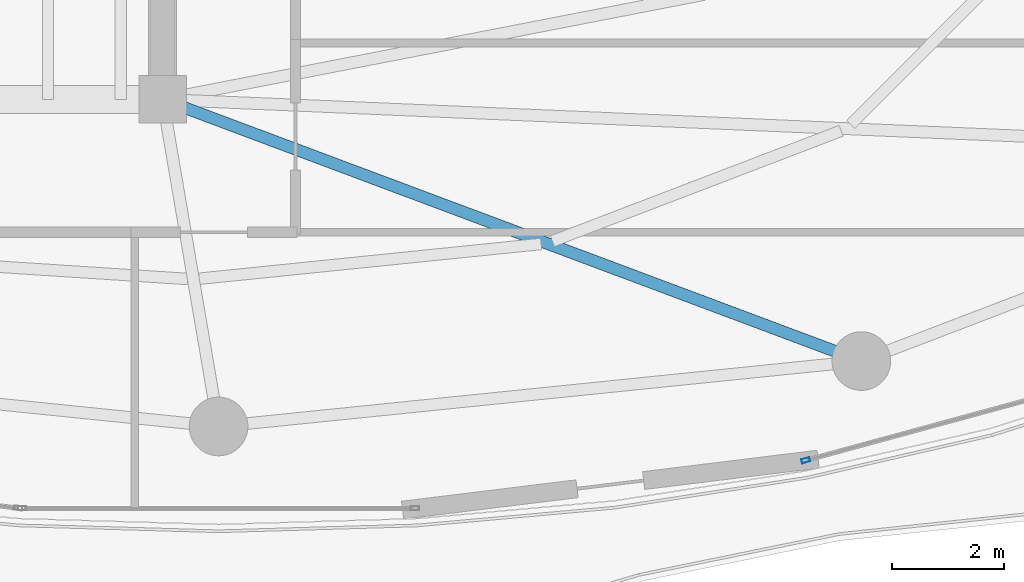
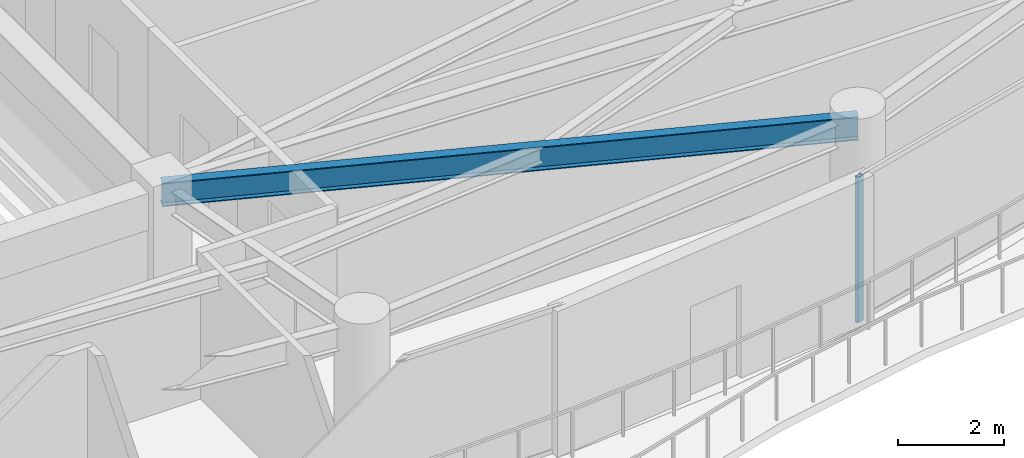
# One storey, part 11 of 31: 1 beam, 1 member, 1 element without a shape of its own.
"""IFC4 building model written with IfcOpenShell, lengths in metres."""

import ifcopenshell
import ifcopenshell.guid

model = None  # the IFC model being written
_history = None  # IfcOwnerHistory: only IFC2X3 demands one
_inside = {}  # id of a spatial element -> (the spatial element, [elements in it])
_under = {}  # id of a project, library or spatial element -> (it, [spatial elements below it])
_declared = {}  # id of a project -> (the project, [libraries it declares])
_typed = {}  # id of a type object -> (the type object, [elements of that type])
_made_of = {}  # id of a material, layer set ... -> (it, [elements and type objects made of it])


def new_model(schema):
    """Start an empty IFC model of exactly this schema.

    Asked for "IFC4X3", IfcOpenShell would pick the latest addendum, in which some entities
    have other attributes; the version numbers below select the first issue.
    IFC2X3 requires an IfcOwnerHistory on every rooted entity: one is made here for all.
    """
    global model, _history
    if schema == "IFC4X3":
        model = ifcopenshell.file(schema_version=(4, 3, 0, 0))
    else:
        model = ifcopenshell.file(schema=schema)
    _inside.clear()
    _under.clear()
    _declared.clear()
    _typed.clear()
    _made_of.clear()
    _history = None
    if model.schema == "IFC2X3":
        org = make("IfcOrganization", Name="unknown")
        user = make(
            "IfcPersonAndOrganization",
            ThePerson=make("IfcPerson", FamilyName="unknown"),
            TheOrganization=org,
        )
        app = make(
            "IfcApplication",
            ApplicationDeveloper=org,
            Version="unknown",
            ApplicationFullName="unknown",
            ApplicationIdentifier="unknown",
        )
        _history = make(
            "IfcOwnerHistory",
            OwningUser=user,
            OwningApplication=app,
            ChangeAction="ADDED",
            CreationDate=0,
        )
    return model


def make(cls, **values):
    """One entity of the class cls with the attributes given. An attribute that is None is left unset."""
    return model.create_entity(
        cls, **{name: value for name, value in values.items() if value is not None}
    )


def rooted(cls, **values):
    """An entity with a GlobalId (a new one), such as an element, a storey or a relation."""
    return make(cls, GlobalId=ifcopenshell.guid.new(), OwnerHistory=_history, **values)


def si_unit(unit_type, name, prefix=None):
    """IfcSIUnit, for example si_unit("LENGTHUNIT", "METRE", prefix="MILLI")."""
    return make("IfcSIUnit", UnitType=unit_type, Prefix=prefix, Name=name)


def assignment(units):
    """IfcUnitAssignment: the units of a project."""
    return None if units is None else make("IfcUnitAssignment", Units=units)


def point(xyz):
    """IfcCartesianPoint."""
    return None if xyz is None else make("IfcCartesianPoint", Coordinates=xyz)


def direction(xyz):
    """IfcDirection."""
    return None if xyz is None else make("IfcDirection", DirectionRatios=xyz)


def frame(location, z_axis=None, x_axis=None):
    """IfcAxis2Placement3D, a coordinate frame: its origin and axes. An axis left out is left unset."""
    return make(
        "IfcAxis2Placement3D",
        Location=point(location),
        Axis=direction(z_axis),
        RefDirection=direction(x_axis),
    )


def frame_2d(location, x_axis=None):
    """IfcAxis2Placement2D, a coordinate frame in the plane: its origin and x axis."""
    return make(
        "IfcAxis2Placement2D", Location=point(location), RefDirection=direction(x_axis)
    )


def origin():
    """The frame at (0, 0, 0) with its axes left unset."""
    return frame((0.0, 0.0, 0.0))


def origin_2d():
    """The frame at (0, 0) in the plane with its x axis left unset."""
    return frame_2d((0.0, 0.0))


def place(relative_to, where):
    """IfcLocalPlacement: puts the frame where relative to a parent placement (None: the world)."""
    return make(
        "IfcLocalPlacement", PlacementRelTo=relative_to, RelativePlacement=where
    )


def context(
    kind, dimensions, precision=None, world=None, true_north=None, identifier=None
):
    """IfcGeometricRepresentationContext, for example the 3D "Model" context."""
    return make(
        "IfcGeometricRepresentationContext",
        ContextIdentifier=identifier,
        ContextType=kind,
        CoordinateSpaceDimension=dimensions,
        Precision=precision,
        WorldCoordinateSystem=world,
        TrueNorth=true_north,
    )


def subcontext(parent, identifier, kind, view, scale=None):
    """IfcGeometricRepresentationSubContext, for example "Body" below "Model"."""
    return make(
        "IfcGeometricRepresentationSubContext",
        ContextIdentifier=identifier,
        ContextType=kind,
        ParentContext=parent,
        TargetScale=scale,
        TargetView=view,
    )


def project(units=None, contexts=None):
    """IfcProject with its units and contexts."""
    return rooted(
        "IfcProject",
        Name="project",
        RepresentationContexts=contexts,
        UnitsInContext=assignment(units),
    )


def spatial(cls, under=None, at=None, **own):
    """A site, building, storey or space (cls), placed at a placement, below another one or the project."""
    s = rooted(cls, ObjectPlacement=at, **own)
    if under is not None:
        _under.setdefault(under.id(), (under, []))[1].append(s)
    return s


def profile(cls, at=None, kind="AREA", **sizes):
    """A parametric profile (cls). Its sizes go by their IFC names, for example OverallWidth=200.0."""
    return make(cls, ProfileType=kind, Position=at, **sizes)


def hollow_rectangle(**sizes):
    """IfcRectangleHollowProfileDef."""
    return profile("IfcRectangleHollowProfileDef", **sizes)


def i_section(**sizes):
    """IfcIShapeProfileDef."""
    return profile("IfcIShapeProfileDef", **sizes)


def extrude(swept, where, along, depth):
    """IfcExtrudedAreaSolid: the profile swept, set in the frame where, extruded along a direction by depth."""
    return make(
        "IfcExtrudedAreaSolid",
        SweptArea=swept,
        Position=where,
        ExtrudedDirection=direction(along),
        Depth=depth,
    )


def shape(context_of_items, identifier, shape_type, items):
    """IfcShapeRepresentation: the items that make up one representation, for example the "Body"."""
    return make(
        "IfcShapeRepresentation",
        ContextOfItems=context_of_items,
        RepresentationIdentifier=identifier,
        RepresentationType=shape_type,
        Items=items,
    )


def material(Name=None, Category=None):
    """IfcMaterial."""
    return make("IfcMaterial", Name=Name, Category=Category)


def layer(
    of_material, thickness, ventilated=None, Name=None, Category=None, Priority=None
):
    """IfcMaterialLayer: one layer of a wall or slab, of a material (None: an air gap)."""
    return make(
        "IfcMaterialLayer",
        Material=of_material,
        LayerThickness=thickness,
        IsVentilated=ventilated,
        Name=Name,
        Category=Category,
        Priority=Priority,
    )


def layer_set(layers, Name=None):
    """IfcMaterialLayerSet."""
    return make("IfcMaterialLayerSet", MaterialLayers=layers, LayerSetName=Name)


def material_profile(
    of_material, cross_section, Name=None, Category=None, Priority=None
):
    """IfcMaterialProfile: a cross section and its material."""
    return make(
        "IfcMaterialProfile",
        Name=Name,
        Material=of_material,
        Profile=cross_section,
        Priority=Priority,
        Category=Category,
    )


def profile_set(profiles, Name=None, composite=None):
    """IfcMaterialProfileSet."""
    return make(
        "IfcMaterialProfileSet",
        Name=Name,
        MaterialProfiles=profiles,
        CompositeProfile=composite,
    )


def made_of(thing, what):
    """Note that an element or type object is made of a material, layer set ...; save() writes the relation."""
    if what is not None:
        _made_of.setdefault(what.id(), (what, []))[1].append(thing)
    return thing


def type_object(cls, material=None, **own):
    """A type object (cls), such as IfcWallType, which elements share."""
    return made_of(rooted(cls, **own), material)


def element(
    cls,
    number,
    at=None,
    inside=None,
    cuts=None,
    type_object=None,
    material=None,
    context=None,
    identifier="Body",
    shape_type=None,
    held_by="IfcProductDefinitionShape",
    body=None,
    shapes=None,
    **own,
):
    """One element of the class cls, such as IfcWall. Its Tag is "e" and its number.

    at: its placement. inside: the storey or other place that contains it. cuts: it is an
    opening in that element (IfcRelVoidsElement). A single representation is given by context,
    identifier, shape_type and body (its items); several are given by shapes. held_by: the class
    of the entity that holds the representations. save() writes the other relations.
    """
    e = rooted(cls, Tag="e%d" % number, ObjectPlacement=at, **own)
    if body is not None:
        shapes = [shape(context, identifier, shape_type, body)]
    if shapes is not None:
        e.Representation = make(held_by, Representations=shapes)
    if inside is not None:
        _inside.setdefault(inside.id(), (inside, []))[1].append(e)
    if cuts is not None:
        rooted(
            "IfcRelVoidsElement", RelatingBuildingElement=cuts, RelatedOpeningElement=e
        )
    if type_object is not None:
        _typed.setdefault(type_object.id(), (type_object, []))[1].append(e)
    return made_of(e, material)


def aggregate(whole, parts):
    """IfcRelAggregates: a whole, such as a stair, and the parts it consists of."""
    return rooted("IfcRelAggregates", RelatingObject=whole, RelatedObjects=parts)


def save(model, path):
    """Write the relations noted so far, then the file.

    IfcRelAggregates (storeys below a building ...), IfcRelContainedInSpatialStructure (elements
    in a storey), IfcRelDefinesByType, IfcRelAssociatesMaterial and IfcRelDeclares: one each for
    every whole, place, type object, material and project.
    """
    for whole, parts in _under.values():
        aggregate(whole, parts)
    for where, things in _inside.values():
        rooted(
            "IfcRelContainedInSpatialStructure",
            RelatedElements=things,
            RelatingStructure=where,
        )
    for kind, things in _typed.values():
        rooted("IfcRelDefinesByType", RelatedObjects=things, RelatingType=kind)
    for what, things in _made_of.values():
        rooted("IfcRelAssociatesMaterial", RelatedObjects=things, RelatingMaterial=what)
    for by, libraries in _declared.values():
        rooted("IfcRelDeclares", RelatingContext=by, RelatedDefinitions=libraries)
    model.write(path)


model = new_model("IFC4")

# Units and contexts
model_context = context("Model", 3, precision=1e-05, world=origin(), true_north=direction((0.0, 1.0)))
body_context = subcontext(model_context, "Body", "Model", "MODEL_VIEW")
ifc_project = project(units=[si_unit("LENGTHUNIT", "METRE"), si_unit("AREAUNIT", "SQUARE_METRE"), si_unit("VOLUMEUNIT", "CUBIC_METRE"), si_unit("PLANEANGLEUNIT", "RADIAN"), si_unit("MASSUNIT", "GRAM", prefix="KILO")], contexts=[model_context])

# Site, building, storey
site_placement = place(None, origin())
site = spatial("IfcSite", under=ifc_project, at=site_placement, CompositionType="ELEMENT")
building_placement = place(site_placement, origin())
building = spatial("IfcBuilding", under=site, at=building_placement, Name="Kazevale Care Tower and Concert Hall", CompositionType="ELEMENT")
storey_placement = place(building_placement, frame((0.0, 0.0, 206.39990234375)))
storey = spatial("IfcBuildingStorey", under=building, at=storey_placement, Name="L54", CompositionType="ELEMENT", Elevation=206.39990234375)

# Curtain wall, member
ifc_material_1 = material(Name="Aluminium 6063-T6 and Low-E Glass", Category="aluminium")
ifc_layer = layer(ifc_material_1, 0.179931640625)
ifc_layer_set = layer_set([ifc_layer], Name="Aluminium 6063-T6 and Low-E Glass")
curtain_wall_type = type_object("IfcCurtainWallType", Name="Sheltered Concave Balcony Curtain Wall CW-5", PredefinedType="NOTDEFINED", material=ifc_layer_set)
curtain_wall_placement = place(storey_placement, origin())
curtain_wall = element("IfcCurtainWall", 1, at=curtain_wall_placement, inside=storey, type_object=curtain_wall_type, Name="cw:L54:f04", PredefinedType="NOTDEFINED")
ifc_material_2 = material(Name="Aluminium 6063-T6", Category="aluminium")
ifc_material_profile_1 = material_profile(ifc_material_2, hollow_rectangle(XDim=0.074951171875, YDim=0.14990234375, WallThickness=0.00390625, at=origin_2d()), Name="ALU75x150x4")
ifc_profile_set_1 = profile_set([ifc_material_profile_1], Name="Aluminium 6063-T6")
member_type = type_object("IfcMemberType", Name="CW-5 Mullion ALU75x150x4", PredefinedType="MULLION", material=ifc_profile_set_1)
member_placement = place(storey_placement, frame((55.505126953125, 17.142822265625, 0.0), z_axis=(0.0, 0.0, 1.0), x_axis=(0.262848968947, -0.964836991167, 0.0)))
member = element("IfcMember", 2, at=member_placement, type_object=member_type, Name="CW-5 mullion 2", PredefinedType="MULLION", context=body_context, shape_type="SweptSolid", body=[
    extrude(hollow_rectangle(XDim=0.074951171875, YDim=0.14990234375, WallThickness=0.00390625, at=origin_2d()), origin(), (0.0, 0.0, 1.0), 3.360107421875),
])
aggregate(curtain_wall, [member])

# Beam
ifc_material_3 = material(Name="Steel ASTM A572 Gr 50", Category="steel")
ifc_material_profile_2 = material_profile(ifc_material_3, i_section(OverallWidth=0.2119140625, OverallDepth=0.5439453125, WebThickness=0.01318359375, FlangeThickness=0.021240234375, at=origin_2d()), Name="W530x123")
ifc_profile_set_2 = profile_set([ifc_material_profile_2], Name="Steel ASTM A572 Gr 50")
beam_type = type_object("IfcBeamType", Name="Radial Floor Girder W530x123", PredefinedType="BEAM", material=ifc_profile_set_2)
beam_placement = place(storey_placement, frame((44.0, 23.60009765625, 3.088134765625), z_axis=(0.936509460339, -0.350642311615, 0.0), x_axis=(0.350642311615, 0.936509460339, 0.0)))
element("IfcBeam", 3, at=beam_placement, inside=storey, type_object=beam_type, Name="beam:L54:rad:14", PredefinedType="BEAM", context=body_context, shape_type="SweptSolid", body=[
    extrude(i_section(OverallWidth=0.2119140625, OverallDepth=0.5439453125, WebThickness=0.01318359375, FlangeThickness=0.021240234375, at=origin_2d()), origin(), (0.0, 0.0, 1.0), 13.347412109375),
])

save(model, "model.ifc")
